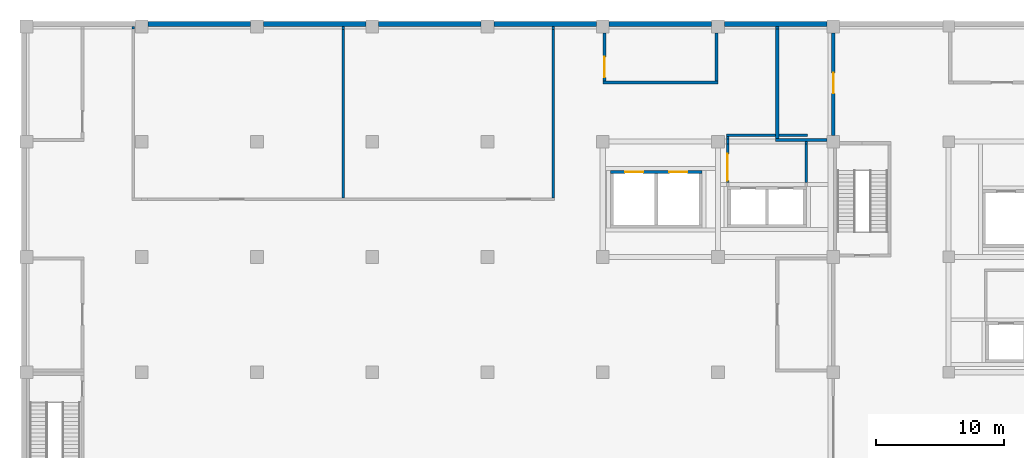
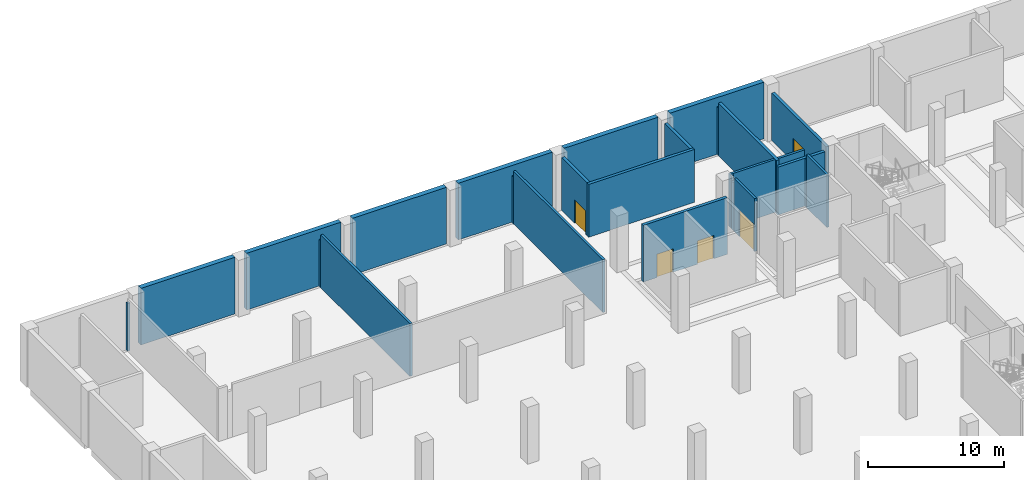
# One storey, part 8 of 16: 26 walls, 5 doors, 5 openings.
"""IFC4 building model written with IfcOpenShell, lengths in metres."""

from ifc_helpers import new_model, si_unit, direction, frame, frame_2d, origin, place, context, subcontext, project, spatial, rectangle, extrude, material, layer, layer_set, type_object, element, fill, save


model = new_model("IFC4")

# Units and contexts
model_context = context("Model", 3, precision=1e-05, world=origin(), true_north=direction((0.0, 1.0)))
body_context = subcontext(model_context, "Body", "Model", "MODEL_VIEW")
ifc_project = project(units=[si_unit("LENGTHUNIT", "METRE"), si_unit("AREAUNIT", "SQUARE_METRE"), si_unit("VOLUMEUNIT", "CUBIC_METRE"), si_unit("PLANEANGLEUNIT", "RADIAN"), si_unit("MASSUNIT", "GRAM", prefix="KILO")], contexts=[model_context])

# Site, building, storey
site_placement = place(None, origin())
site = spatial("IfcSite", under=ifc_project, at=site_placement, CompositionType="ELEMENT")
building_placement = place(site_placement, origin())
building = spatial("IfcBuilding", under=site, at=building_placement, Name="Guidao Yard Department Store", CompositionType="ELEMENT")
storey_placement = place(building_placement, frame((0.0, 0.0, -5.10009765625)))
storey = spatial("IfcBuildingStorey", under=building, at=storey_placement, Name="B1", CompositionType="ELEMENT", Elevation=-5.10009765625)

# Walls
ifc_material_1 = material(Name="Autoclaved aerated concrete block A3.5 B06", Category="concrete")
ifc_layer_1 = layer(ifc_material_1, 0.199951171875)
ifc_layer_set_1 = layer_set([ifc_layer_1], Name="Fire Wall 200 Autoclaved Block EI 120")
wall_type_1 = type_object("IfcWallType", Name="Fire Wall 200 Autoclaved Block EI 120", PredefinedType="PARTITIONING", material=ifc_layer_set_1)
wall_1_placement = place(storey_placement, frame((8.35009765625, 107.800048828125, 0.0), z_axis=(0.0, 0.0, 1.0), x_axis=(0.0, 1.0, 0.0)))
element("IfcWall", 1, at=wall_1_placement, inside=storey, type_object=wall_type_1, Name="pt.wall.B1.0035a", PredefinedType="PARTITIONING", context=body_context, shape_type="SweptSolid", body=[
    extrude(rectangle(XDim=0.199951171875, YDim=0.199951171875, at=frame_2d((0.10009765625, 0.0))), origin(), (0.0, 0.0, 1.0), 4.300048828125),
])
wall_2_placement = place(storey_placement, frame((24.75, 94.60009765625, 0.0), z_axis=(0.0, 0.0, 1.0), x_axis=(0.0, 1.0, 0.0)))
element("IfcWall", 2, at=wall_2_placement, inside=storey, type_object=wall_type_1, Name="pt.wall.B1.0038", PredefinedType="PARTITIONING", context=body_context, shape_type="SweptSolid", body=[
    extrude(rectangle(XDim=13.1748046875, YDim=0.199951171875, at=frame_2d((6.58740234375, 0.0))), origin(), (0.0, 0.0, 1.0), 4.75),
])
wall_3_placement = place(storey_placement, frame((24.75, 107.77490234375, 0.0), z_axis=(0.0, 0.0, 1.0), x_axis=(0.0, 1.0, 0.0)))
element("IfcWall", 3, at=wall_3_placement, inside=storey, type_object=wall_type_1, Name="pt.wall.B1.0038a", PredefinedType="PARTITIONING", context=body_context, shape_type="SweptSolid", body=[
    extrude(rectangle(XDim=0.22509765625, YDim=0.199951171875, at=frame_2d((0.112548828125, 0.0))), origin(), (0.0, 0.0, 1.0), 4.2001953125),
])
wall_4_placement = place(storey_placement, frame((41.14990234375, 94.60009765625, 0.0), z_axis=(0.0, 0.0, 1.0), x_axis=(0.0, 1.0, 0.0)))
element("IfcWall", 4, at=wall_4_placement, inside=storey, type_object=wall_type_1, Name="pt.wall.B1.0039", PredefinedType="PARTITIONING", context=body_context, shape_type="SweptSolid", body=[
    extrude(rectangle(XDim=13.1748046875, YDim=0.199951171875, at=frame_2d((6.58740234375, 0.0))), origin(), (0.0, 0.0, 1.0), 4.75),
])
wall_5_placement = place(storey_placement, frame((41.14990234375, 107.77490234375, 0.0), z_axis=(0.0, 0.0, 1.0), x_axis=(0.0, 1.0, 0.0)))
element("IfcWall", 5, at=wall_5_placement, inside=storey, type_object=wall_type_1, Name="pt.wall.B1.0039a", PredefinedType="PARTITIONING", context=body_context, shape_type="SweptSolid", body=[
    extrude(rectangle(XDim=0.22509765625, YDim=0.199951171875, at=frame_2d((0.112548828125, 0.0))), origin(), (0.0, 0.0, 1.0), 4.2001953125),
])
ifc_material_2 = material(Name="Concrete C40", Category="concrete")
ifc_layer_2 = layer(ifc_material_2, 0.39990234375)
ifc_layer_set_2 = layer_set([ifc_layer_2], Name="Retaining wall 400 C40")
wall_type_2 = type_object("IfcWallType", Name="Retaining wall 400 C40", PredefinedType="SOLIDWALL", material=ifc_layer_set_2)
for number, where, z_axis, x_axis, name in (
    (6, (9.5, 108.199951171875, 0.0), (0.0, 0.0, 1.0), (1.0, 0.0, 0.0), "Retaining wall B1-051"),
    (7, (18.5, 108.199951171875, 0.0), (0.0, 0.0, 1.0), (1.0, 0.0, 0.0), "Retaining wall B1-052"),
    (8, (27.5, 108.199951171875, 0.0), (0.0, 0.0, 1.0), (1.0, 0.0, 0.0), "Retaining wall B1-053"),
    (9, (36.5, 108.199951171875, 0.0), (0.0, 0.0, 1.0), (1.0, 0.0, 0.0), "Retaining wall B1-054"),
    (10, (45.5, 108.199951171875, 0.0), (0.0, 0.0, 1.0), (1.0, 0.0, 0.0), "Retaining wall B1-055"),
    (11, (54.5, 108.199951171875, 0.0), (0.0, 0.0, 1.0), (1.0, 0.0, 0.0), "Retaining wall B1-056"),
):
    element("IfcWall", number, at=place(storey_placement, frame(where, z_axis=z_axis, x_axis=x_axis)), inside=storey, type_object=wall_type_2, Name=name, PredefinedType="SOLIDWALL", context=body_context, shape_type="SweptSolid", body=[
        extrude(rectangle(XDim=8.0, YDim=0.39990234375, at=frame_2d((4.0, 0.0))), origin(), (0.0, 0.0, 1.0), 5.10009765625),
    ])
ifc_material_3 = material(Name="Autoclaved aerated concrete block A3.5 B06", Category="concrete")
ifc_layer_3 = layer(ifc_material_3, 0.199951171875)
ifc_layer_set_3 = layer_set([ifc_layer_3], Name="Shaft Wall 200 Autoclaved Block EI 120")
wall_type_3 = type_object("IfcWallType", Name="Shaft Wall 200 Autoclaved Block EI 120", PredefinedType="PARTITIONING", material=ifc_layer_set_3)
wall_6_placement = place(storey_placement, frame((54.64990234375, 99.5, 0.0), z_axis=(0.0, 0.0, 1.0), x_axis=(1.0, 0.0, 0.0)))
element("IfcWall", 12, at=wall_6_placement, inside=storey, type_object=wall_type_3, Name="pt.wall.B1.0025", PredefinedType="PARTITIONING", context=body_context, shape_type="SweptSolid", body=[
    extrude(rectangle(XDim=3.85009765625, YDim=0.199951171875, at=frame_2d((1.925048828125, 0.0))), origin(), (0.0, 0.0, 1.0), 4.75),
])
wall_7_placement = place(storey_placement, frame((58.75, 99.5, 0.0), z_axis=(0.0, 0.0, 1.0), x_axis=(1.0, 0.0, 0.0)))
element("IfcWall", 13, at=wall_7_placement, inside=storey, type_object=wall_type_3, Name="pt.wall.B1.0026", PredefinedType="PARTITIONING", context=body_context, shape_type="SweptSolid", body=[
    extrude(rectangle(XDim=2.25, YDim=0.199951171875, at=frame_2d((1.125, 0.0))), origin(), (0.0, 0.0, 1.0), 4.75),
])

# Wall, opening, door
wall_8_placement = place(storey_placement, frame((54.75, 95.800048828125, 0.0), z_axis=(0.0, 0.0, 1.0), x_axis=(0.0, 1.0, 0.0)))
wall_8 = element("IfcWall", 14, at=wall_8_placement, inside=storey, type_object=wall_type_3, Name="pt.wall.B1.0044a", PredefinedType="PARTITIONING", context=body_context, shape_type="SweptSolid", body=[
    extrude(rectangle(XDim=3.0, YDim=0.199951171875, at=frame_2d((1.5, 0.0))), origin(), (0.0, 0.0, 1.0), 4.75),
])
opening_1_placement = place(wall_8_placement, frame((2.25, 0.0, 0.0), z_axis=(0.0, 0.0, 1.0), x_axis=(-1.0, 0.0, 0.0)))
opening_1 = element("IfcOpeningElement", 15, at=opening_1_placement, cuts=wall_8, Name="Opening B1-421", PredefinedType="OPENING", context=body_context, shape_type="SweptSolid", body=[
    extrude(rectangle(XDim=2.10009765625, YDim=2.39990234375, at=frame_2d((1.050048828125, 1.199951171875))), frame((0.0, 0.10986328125, 0.0), z_axis=(0.0, -1.0, 0.0), x_axis=(1.0, 0.0, 0.0)), (0.0, 0.0, 1.0), 0.219970703125),
])
ifc_material_4 = material(Name="Timber door leaf with Steel Q235 frame", Category="steel")
door_type_1 = type_object("IfcDoorType", Name="Door 2100 x 2400 FD60 Double Leaf", OperationType="DOUBLE_DOOR_SINGLE_SWING", PredefinedType="DOOR", material=ifc_material_4)
door_1_placement = place(opening_1_placement, origin())
door_1 = element("IfcDoor", 16, at=door_1_placement, inside=storey, type_object=door_type_1, Name="Door B1-421", OperationType="DOUBLE_DOOR_SINGLE_SWING", OverallHeight=2.39990234375, OverallWidth=2.10009765625, PredefinedType="DOOR", context=body_context, shape_type="SweptSolid", body=[
    extrude(rectangle(XDim=2.10009765625, YDim=2.39990234375, at=frame_2d((1.050048828125, 1.199951171875))), frame((0.0, 0.02490234375, 0.0), z_axis=(0.0, -1.0, 0.0), x_axis=(1.0, 0.0, 0.0)), (0.0, 0.0, 1.0), 0.050048828125),
])
fill(opening_1, door_1)

# Walls
wall_9_placement = place(storey_placement, frame((54.75, 98.800048828125, 0.0), z_axis=(0.0, 0.0, 1.0), x_axis=(0.0, 1.0, 0.0)))
element("IfcWall", 17, at=wall_9_placement, inside=storey, type_object=wall_type_3, Name="pt.wall.B1.0044b", PredefinedType="PARTITIONING", context=body_context, shape_type="SweptSolid", body=[
    extrude(rectangle(XDim=0.39990234375, YDim=0.199951171875, at=frame_2d((0.199951171875, 0.0))), origin(), (0.0, 0.0, 1.0), 4.300048828125),
])
wall_10_placement = place(storey_placement, frame((54.75, 99.199951171875, 0.0), z_axis=(0.0, 0.0, 1.0), x_axis=(0.0, 1.0, 0.0)))
element("IfcWall", 18, at=wall_10_placement, inside=storey, type_object=wall_type_3, Name="pt.wall.B1.0044c", PredefinedType="PARTITIONING", context=body_context, shape_type="SweptSolid", body=[
    extrude(rectangle(XDim=0.199951171875, YDim=0.199951171875, at=frame_2d((0.10009765625, 0.0))), origin(), (0.0, 0.0, 1.0), 4.75),
])
wall_11_placement = place(storey_placement, frame((60.89990234375, 95.800048828125, 0.0), z_axis=(0.0, 0.0, 1.0), x_axis=(0.0, 1.0, 0.0)))
element("IfcWall", 19, at=wall_11_placement, inside=storey, type_object=wall_type_3, Name="pt.wall.B1.0048a", PredefinedType="PARTITIONING", context=body_context, shape_type="SweptSolid", body=[
    extrude(rectangle(XDim=3.0, YDim=0.199951171875, at=frame_2d((1.5, 0.0))), origin(), (0.0, 0.0, 1.0), 4.75),
])
wall_12_placement = place(storey_placement, frame((60.89990234375, 98.800048828125, 0.0), z_axis=(0.0, 0.0, 1.0), x_axis=(0.0, 1.0, 0.0)))
element("IfcWall", 20, at=wall_12_placement, inside=storey, type_object=wall_type_3, Name="pt.wall.B1.0048b", PredefinedType="PARTITIONING", context=body_context, shape_type="SweptSolid", body=[
    extrude(rectangle(XDim=0.199951171875, YDim=0.199951171875, at=frame_2d((0.10009765625, 0.0))), origin(), (0.0, 0.0, 1.0), 4.300048828125),
])
ifc_material_5 = material(Name="Concrete C40", Category="concrete")
ifc_layer_4 = layer(ifc_material_5, 0.25)
ifc_layer_set_4 = layer_set([ifc_layer_4], Name="Support Wall 250 Concrete C40")
wall_type_4 = type_object("IfcWallType", Name="Support Wall 250 Concrete C40", PredefinedType="SOLIDWALL", material=ifc_layer_set_4)
wall_13_placement = place(storey_placement, frame((58.5, 99.125, 0.0), z_axis=(0.0, 0.0, 1.0), x_axis=(1.0, 0.0, 0.0)))
element("IfcWall", 21, at=wall_13_placement, inside=storey, type_object=wall_type_4, Name="pt.wall.B1.0024", PredefinedType="SOLIDWALL", context=body_context, shape_type="SweptSolid", body=[
    extrude(rectangle(XDim=4.0, YDim=0.25, at=frame_2d((2.0, 0.0))), origin(), (0.0, 0.0, 1.0), 4.300048828125),
])
wall_14_placement = place(storey_placement, frame((45.0, 103.625, 0.0), z_axis=(0.0, 0.0, 1.0), x_axis=(1.0, 0.0, 0.0)))
element("IfcWall", 22, at=wall_14_placement, inside=storey, type_object=wall_type_4, Name="pt.wall.B1.0028", PredefinedType="SOLIDWALL", context=body_context, shape_type="SweptSolid", body=[
    extrude(rectangle(XDim=9.0, YDim=0.25, at=frame_2d((4.5, 0.0))), origin(), (0.0, 0.0, 1.0), 4.75),
])

# Wall, opening, door
wall_15_placement = place(storey_placement, frame((45.125, 103.75, 0.0), z_axis=(0.0, 0.0, 1.0), x_axis=(0.0, 1.0, 0.0)))
wall_15 = element("IfcWall", 23, at=wall_15_placement, inside=storey, type_object=wall_type_4, Name="pt.wall.B1.0040", PredefinedType="SOLIDWALL", context=body_context, shape_type="SweptSolid", body=[
    extrude(rectangle(XDim=3.75, YDim=0.25, at=frame_2d((1.875, 0.0))), origin(), (0.0, 0.0, 1.0), 4.75),
])
opening_2_placement = place(wall_15_placement, frame((1.862548828125, 0.0, 0.0), z_axis=(0.0, 0.0, 1.0), x_axis=(-1.0, 0.0, 0.0)))
opening_2 = element("IfcOpeningElement", 24, at=opening_2_placement, cuts=wall_15, Name="Opening B1-410", PredefinedType="OPENING", context=body_context, shape_type="SweptSolid", body=[
    extrude(rectangle(XDim=1.60009765625, YDim=2.10009765625, at=frame_2d((0.800048828125, 1.050048828125))), frame((0.0, 0.135009765625, 0.0), z_axis=(0.0, -1.0, 0.0), x_axis=(1.0, 0.0, 0.0)), (0.0, 0.0, 1.0), 0.27001953125),
])
ifc_material_6 = material(Name="Timber door leaf with Steel Q235 frame", Category="steel")
door_type_2 = type_object("IfcDoorType", Name="Door 1600 x 2100 FD60 Double Leaf", OperationType="DOUBLE_DOOR_SINGLE_SWING", PredefinedType="DOOR", material=ifc_material_6)
door_2_placement = place(opening_2_placement, origin())
door_2 = element("IfcDoor", 25, at=door_2_placement, inside=storey, type_object=door_type_2, Name="Door B1-410", OperationType="DOUBLE_DOOR_SINGLE_SWING", OverallHeight=2.10009765625, OverallWidth=1.60009765625, PredefinedType="DOOR", context=body_context, shape_type="SweptSolid", body=[
    extrude(rectangle(XDim=1.60009765625, YDim=2.10009765625, at=frame_2d((0.800048828125, 1.050048828125))), frame((0.0, 0.02490234375, 0.0), z_axis=(0.0, -1.0, 0.0), x_axis=(1.0, 0.0, 0.0)), (0.0, 0.0, 1.0), 0.050048828125),
])
fill(opening_2, door_2)

# Walls
wall_16_placement = place(storey_placement, frame((53.875, 103.75, 0.0), z_axis=(0.0, 0.0, 1.0), x_axis=(0.0, 1.0, 0.0)))
element("IfcWall", 26, at=wall_16_placement, inside=storey, type_object=wall_type_4, Name="pt.wall.B1.0043", PredefinedType="SOLIDWALL", context=body_context, shape_type="SweptSolid", body=[
    extrude(rectangle(XDim=3.75, YDim=0.25, at=frame_2d((1.875, 0.0))), origin(), (0.0, 0.0, 1.0), 4.75),
])
wall_17_placement = place(storey_placement, frame((58.625, 99.25, 0.0), z_axis=(0.0, 0.0, 1.0), x_axis=(0.0, 1.0, 0.0)))
element("IfcWall", 27, at=wall_17_placement, inside=storey, type_object=wall_type_4, Name="pt.wall.B1.0047", PredefinedType="SOLIDWALL", context=body_context, shape_type="SweptSolid", body=[
    extrude(rectangle(XDim=8.550048828125, YDim=0.25, at=frame_2d((4.27490234375, 0.0))), origin(), (0.0, 0.0, 1.0), 4.75),
])
wall_18_placement = place(storey_placement, frame((58.625, 107.800048828125, 0.0), z_axis=(0.0, 0.0, 1.0), x_axis=(0.0, 1.0, 0.0)))
element("IfcWall", 28, at=wall_18_placement, inside=storey, type_object=wall_type_4, Name="pt.wall.B1.0047a", PredefinedType="SOLIDWALL", context=body_context, shape_type="SweptSolid", body=[
    extrude(rectangle(XDim=0.199951171875, YDim=0.25, at=frame_2d((0.10009765625, 0.0))), origin(), (0.0, 0.0, 1.0), 4.300048828125),
])

# Wall, opening, door
wall_19_placement = place(storey_placement, frame((63.0, 99.5, 0.0), z_axis=(0.0, 0.0, 1.0), x_axis=(0.0, 1.0, 0.0)))
wall_19 = element("IfcWall", 29, at=wall_19_placement, inside=storey, type_object=wall_type_4, Name="pt.wall.B1.0053", PredefinedType="SOLIDWALL", context=body_context, shape_type="SweptSolid", body=[
    extrude(rectangle(XDim=8.0, YDim=0.25, at=frame_2d((4.0, 0.0))), origin(), (0.0, 0.0, 1.0), 4.300048828125),
])
opening_3_placement = place(wall_19_placement, frame((3.262451171875, 0.0, 0.0)))
opening_3 = element("IfcOpeningElement", 30, at=opening_3_placement, cuts=wall_19, Name="Opening B1-409", PredefinedType="OPENING", context=body_context, shape_type="SweptSolid", body=[
    extrude(rectangle(XDim=1.60009765625, YDim=2.10009765625, at=frame_2d((0.800048828125, 1.050048828125))), frame((0.0, 0.135009765625, 0.0), z_axis=(0.0, -1.0, 0.0), x_axis=(1.0, 0.0, 0.0)), (0.0, 0.0, 1.0), 0.27001953125),
])
door_3_placement = place(opening_3_placement, origin())
door_3 = element("IfcDoor", 31, at=door_3_placement, inside=storey, type_object=door_type_2, Name="Door B1-409", OperationType="DOUBLE_DOOR_SINGLE_SWING", OverallHeight=2.10009765625, OverallWidth=1.60009765625, PredefinedType="DOOR", context=body_context, shape_type="SweptSolid", body=[
    extrude(rectangle(XDim=1.60009765625, YDim=2.10009765625, at=frame_2d((0.800048828125, 1.050048828125))), frame((0.0, 0.02490234375, 0.0), z_axis=(0.0, -1.0, 0.0), x_axis=(1.0, 0.0, 0.0)), (0.0, 0.0, 1.0), 0.050048828125),
])
fill(opening_3, door_3)

# Wall, openings, doors
ifc_material_7 = material(Name="Concrete C40", Category="concrete")
ifc_layer_5 = layer(ifc_material_7, 0.25)
ifc_layer_set_5 = layer_set([ifc_layer_5], Name="Wall RC 250 C40 stair and shaft")
wall_type_5 = type_object("IfcWallType", Name="Wall RC 250 C40 stair and shaft", PredefinedType="SHEAR", material=ifc_layer_set_5)
wall_20_placement = place(storey_placement, frame((45.60009765625, 96.625, 0.0), z_axis=(0.0, 0.0, 1.0), x_axis=(1.0, 0.0, 0.0)))
wall_20 = element("IfcWall", 32, at=wall_20_placement, inside=storey, type_object=wall_type_5, Name="Lift shaft wall HG1 to HG2", PredefinedType="SHEAR", context=body_context, shape_type="SweptSolid", body=[
    extrude(rectangle(XDim=7.14990234375, YDim=0.25, at=frame_2d((3.574951171875, 0.0))), origin(), (0.0, 0.0, 1.0), 5.10009765625),
])
opening_4_placement = place(wall_20_placement, frame((1.14990234375, 0.0, 0.0)))
opening_4 = element("IfcOpeningElement", 33, at=opening_4_placement, cuts=wall_20, Name="Opening LD-HG1-B1", PredefinedType="OPENING", context=body_context, shape_type="SweptSolid", body=[
    extrude(rectangle(XDim=1.39990234375, YDim=2.10009765625, at=frame_2d((0.699951171875, 1.050048828125))), frame((0.0, 0.135009765625, 0.0), z_axis=(0.0, -1.0, 0.0), x_axis=(1.0, 0.0, 0.0)), (0.0, 0.0, 1.0), 0.27001953125),
])
opening_5_placement = place(wall_20_placement, frame((4.60009765625, 0.0, 0.0)))
opening_5 = element("IfcOpeningElement", 34, at=opening_5_placement, cuts=wall_20, Name="Opening LD-HG2-B1", PredefinedType="OPENING", context=body_context, shape_type="SweptSolid", body=[
    extrude(rectangle(XDim=1.39990234375, YDim=2.10009765625, at=frame_2d((0.699951171875, 1.050048828125))), frame((0.0, 0.135009765625, 0.0), z_axis=(0.0, -1.0, 0.0), x_axis=(1.0, 0.0, 0.0)), (0.0, 0.0, 1.0), 0.27001953125),
])
ifc_material_8 = material(Name="Stainless steel 06Cr19Ni10", Category="steel")
door_type_3 = type_object("IfcDoorType", Name="Lift landing door fire-resisting sliding 1400 x 2100", OperationType="DOUBLE_DOOR_SLIDING", PredefinedType="DOOR", material=ifc_material_8)
door_4_placement = place(opening_4_placement, origin())
door_4 = element("IfcDoor", 35, at=door_4_placement, inside=storey, type_object=door_type_3, Name="Lift landing door HG1 B1", OperationType="DOUBLE_DOOR_SLIDING", OverallHeight=2.10009765625, OverallWidth=1.39990234375, PredefinedType="DOOR", context=body_context, shape_type="SweptSolid", body=[
    extrude(rectangle(XDim=1.39990234375, YDim=2.10009765625, at=frame_2d((0.699951171875, 1.050048828125))), frame((0.0, 0.02490234375, 0.0), z_axis=(0.0, -1.0, 0.0), x_axis=(1.0, 0.0, 0.0)), (0.0, 0.0, 1.0), 0.050048828125),
])
fill(opening_4, door_4)
door_5_placement = place(opening_5_placement, origin())
door_5 = element("IfcDoor", 36, at=door_5_placement, inside=storey, type_object=door_type_3, Name="Lift landing door HG2 B1", OperationType="DOUBLE_DOOR_SLIDING", OverallHeight=2.10009765625, OverallWidth=1.39990234375, PredefinedType="DOOR", context=body_context, shape_type="SweptSolid", body=[
    extrude(rectangle(XDim=1.39990234375, YDim=2.10009765625, at=frame_2d((0.699951171875, 1.050048828125))), frame((0.0, 0.02490234375, 0.0), z_axis=(0.0, -1.0, 0.0), x_axis=(1.0, 0.0, 0.0)), (0.0, 0.0, 1.0), 0.050048828125),
])
fill(opening_5, door_5)

save(model, "model.ifc")
